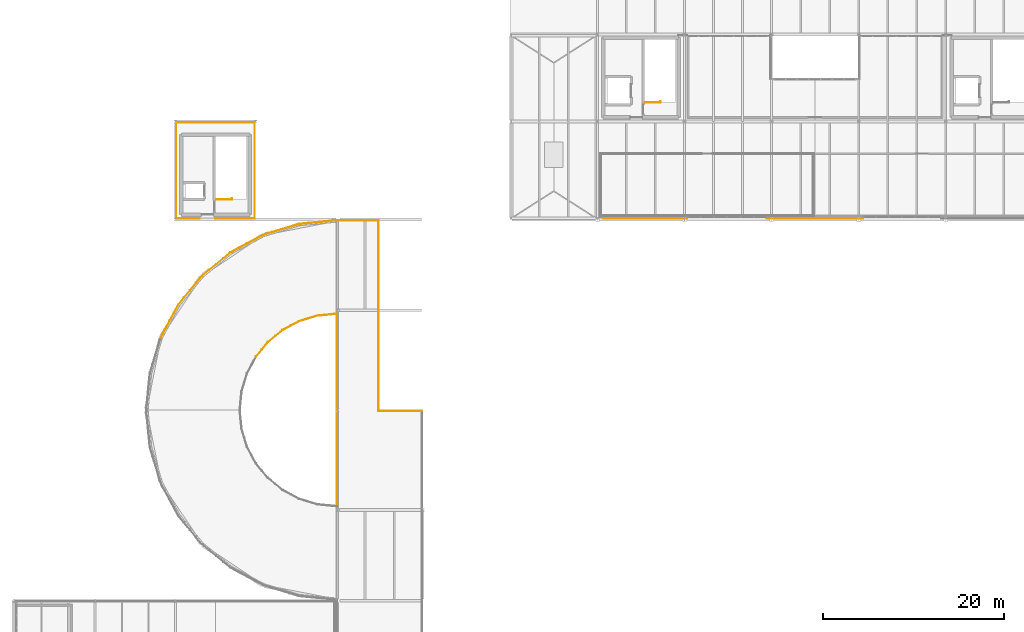
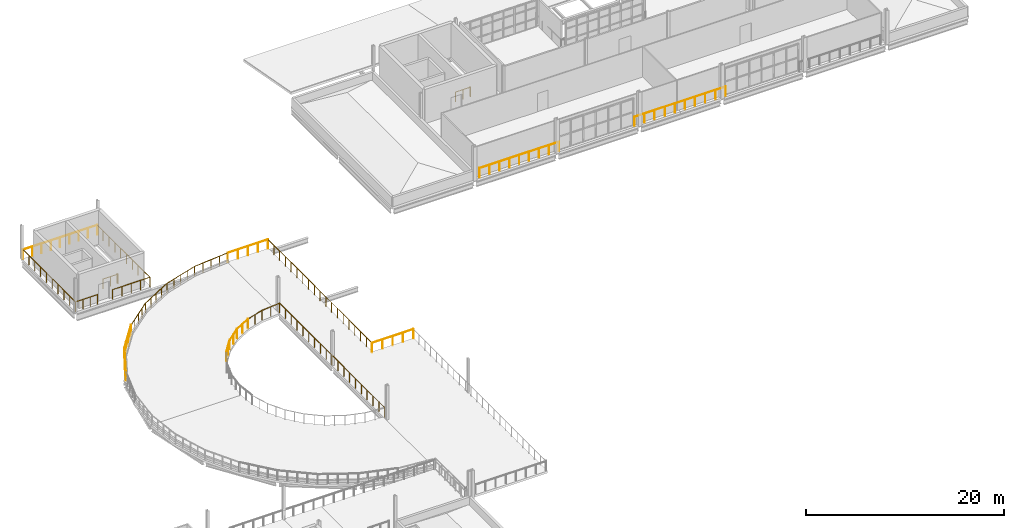
# One storey, part 53 of 58: 24 railings.
"""IFC4 building model written with IfcOpenShell, lengths in metres."""

from ifc_helpers import new_model, si_unit, direction, frame, origin, origin_2d, place, context, subcontext, project, spatial, circle, extrude, material, type_object, element, save


model = new_model("IFC4")

# Units and contexts
model_context = context("Model", 3, precision=1e-05, world=origin(), true_north=direction((0.0, 1.0)))
body_context = subcontext(model_context, "Body", "Model", "MODEL_VIEW")
ifc_project = project(units=[si_unit("LENGTHUNIT", "METRE"), si_unit("AREAUNIT", "SQUARE_METRE"), si_unit("VOLUMEUNIT", "CUBIC_METRE"), si_unit("PLANEANGLEUNIT", "RADIAN"), si_unit("MASSUNIT", "GRAM", prefix="KILO")], contexts=[model_context])

# Site, building, storey
site_placement = place(None, origin())
site = spatial("IfcSite", under=ifc_project, at=site_placement, CompositionType="ELEMENT")
building_placement = place(site_placement, origin())
building = spatial("IfcBuilding", under=site, at=building_placement, Name="Yeouljin Market Hall", CompositionType="ELEMENT")
storey_placement = place(building_placement, frame((0.0, 0.0, 10.800048828125)))
storey = spatial("IfcBuildingStorey", under=building, at=storey_placement, Name="L02", CompositionType="ELEMENT", Elevation=10.800048828125)

# Railings
ifc_material_1 = material(Name="Wrought Iron and Bronze Gallery Balustrade")
railing_type_1 = type_object("IfcRailingType", Name="Railing_AtriumBalustrade_1200", PredefinedType="BALUSTRADE", material=ifc_material_1)
railing_1_placement = place(storey_placement, frame((93.5, 78.10009765625, 0.0)))
element("IfcRailing", 1, at=railing_1_placement, inside=storey, type_object=railing_type_1, Name="Gallery & deck edge balustrade L02-218", PredefinedType="BALUSTRADE", context=body_context, shape_type="SweptSolid", body=[
    extrude(circle(Radius=0.02392578125, at=origin_2d()), frame((0.0, 0.0, 1.17578125), z_axis=(-1.0, 0.0, 0.0), x_axis=(0.0, -1.0, 0.0)), (0.0, 0.0, 1.0), 10.60009765625),
    extrude(circle(Radius=0.02099609375, at=origin_2d()), origin(), (0.0, 0.0, 1.0), 1.15185546875),
    extrude(circle(Radius=0.02099609375, at=origin_2d()), frame((-1.177734375, 0.0, 0.0)), (0.0, 0.0, 1.0), 1.15185546875),
    extrude(circle(Radius=0.02099609375, at=origin_2d()), frame((-2.35546875, 0.0, 0.0)), (0.0, 0.0, 1.0), 1.15185546875),
    extrude(circle(Radius=0.02099609375, at=origin_2d()), frame((-3.533447265625, 0.0, 0.0)), (0.0, 0.0, 1.0), 1.15185546875),
    extrude(circle(Radius=0.02099609375, at=origin_2d()), frame((-4.711181640625, 0.0, 0.0)), (0.0, 0.0, 1.0), 1.15185546875),
    extrude(circle(Radius=0.02099609375, at=origin_2d()), frame((-5.888916015625, 0.0, 0.0)), (0.0, 0.0, 1.0), 1.15185546875),
    extrude(circle(Radius=0.02099609375, at=origin_2d()), frame((-7.066650390625, 0.0, 0.0)), (0.0, 0.0, 1.0), 1.15185546875),
    extrude(circle(Radius=0.02099609375, at=origin_2d()), frame((-8.24462890625, 0.0, 0.0)), (0.0, 0.0, 1.0), 1.15185546875),
    extrude(circle(Radius=0.02099609375, at=origin_2d()), frame((-9.42236328125, 0.0, 0.0)), (0.0, 0.0, 1.0), 1.15185546875),
    extrude(circle(Radius=0.02099609375, at=origin_2d()), frame((-10.60009765625, 0.0, 0.0)), (0.0, 0.0, 1.0), 1.15185546875),
])
railing_2_placement = place(storey_placement, frame((74.10009765625, 78.10009765625, 0.0)))
element("IfcRailing", 2, at=railing_2_placement, inside=storey, type_object=railing_type_1, Name="Gallery & deck edge balustrade L02-219", PredefinedType="BALUSTRADE", context=body_context, shape_type="SweptSolid", body=[
    extrude(circle(Radius=0.02392578125, at=origin_2d()), frame((0.0, 0.0, 1.17578125), z_axis=(-1.0, 0.0, 0.0), x_axis=(0.0, -1.0, 0.0)), (0.0, 0.0, 1.0), 9.25),
    extrude(circle(Radius=0.02099609375, at=origin_2d()), origin(), (0.0, 0.0, 1.0), 1.15185546875),
    extrude(circle(Radius=0.02099609375, at=origin_2d()), frame((-1.15625, 0.0, 0.0)), (0.0, 0.0, 1.0), 1.15185546875),
    extrude(circle(Radius=0.02099609375, at=origin_2d()), frame((-2.3125, 0.0, 0.0)), (0.0, 0.0, 1.0), 1.15185546875),
    extrude(circle(Radius=0.02099609375, at=origin_2d()), frame((-3.46875, 0.0, 0.0)), (0.0, 0.0, 1.0), 1.15185546875),
    extrude(circle(Radius=0.02099609375, at=origin_2d()), frame((-4.625, 0.0, 0.0)), (0.0, 0.0, 1.0), 1.15185546875),
    extrude(circle(Radius=0.02099609375, at=origin_2d()), frame((-5.78125, 0.0, 0.0)), (0.0, 0.0, 1.0), 1.15185546875),
    extrude(circle(Radius=0.02099609375, at=origin_2d()), frame((-6.9375, 0.0, 0.0)), (0.0, 0.0, 1.0), 1.15185546875),
    extrude(circle(Radius=0.02099609375, at=origin_2d()), frame((-8.09375, 0.0, 0.0)), (0.0, 0.0, 1.0), 1.15185546875),
    extrude(circle(Radius=0.02099609375, at=origin_2d()), frame((-9.25, 0.0, 0.0)), (0.0, 0.0, 1.0), 1.15185546875),
])
railing_3_placement = place(storey_placement, frame((16.09130859375, 64.997802734375, 0.0)))
element("IfcRailing", 3, at=railing_3_placement, inside=storey, type_object=railing_type_1, Name="Gallery & deck edge balustrade L02-226", PredefinedType="BALUSTRADE", context=body_context, shape_type="SweptSolid", body=[
    extrude(circle(Radius=0.02392578125, at=origin_2d()), frame((0.0, 0.0, 1.17578125), z_axis=(0.471407637126, 0.88191543793, 0.0), x_axis=(-0.88191543793, 0.471407637126, 0.0)), (0.0, 0.0, 1.0), 4.09716796875),
    extrude(circle(Radius=0.02099609375, at=origin_2d()), origin(), (0.0, 0.0, 1.0), 1.15185546875),
    extrude(circle(Radius=0.02099609375, at=origin_2d()), frame((0.48291015625, 0.9033203125, 0.0)), (0.0, 0.0, 1.0), 1.15185546875),
    extrude(circle(Radius=0.02099609375, at=origin_2d()), frame((0.9658203125, 1.806640625, 0.0)), (0.0, 0.0, 1.0), 1.15185546875),
    extrude(circle(Radius=0.02099609375, at=origin_2d()), frame((1.448486328125, 2.7099609375, 0.0)), (0.0, 0.0, 1.0), 1.15185546875),
    extrude(circle(Radius=0.02099609375, at=origin_2d()), frame((1.931396484375, 3.61328125, 0.0)), (0.0, 0.0, 1.0), 1.15185546875),
])
railing_4_placement = place(storey_placement, frame((18.022705078125, 68.611083984375, 0.0)))
element("IfcRailing", 4, at=railing_4_placement, inside=storey, type_object=railing_type_1, Name="Gallery & deck edge balustrade L02-227", PredefinedType="BALUSTRADE", context=body_context, shape_type="SweptSolid", body=[
    extrude(circle(Radius=0.02392578125, at=origin_2d()), frame((0.0, 0.0, 1.17578125), z_axis=(0.634398793596, 0.773005931855, 0.0), x_axis=(-0.773005931855, 0.634398793596, 0.0)), (0.0, 0.0, 1.0), 4.096923828125),
    extrude(circle(Radius=0.02099609375, at=origin_2d()), origin(), (0.0, 0.0, 1.0), 1.15185546875),
    extrude(circle(Radius=0.02099609375, at=origin_2d()), frame((0.64990234375, 0.791748046875, 0.0)), (0.0, 0.0, 1.0), 1.15185546875),
    extrude(circle(Radius=0.02099609375, at=origin_2d()), frame((1.299560546875, 1.58349609375, 0.0)), (0.0, 0.0, 1.0), 1.15185546875),
    extrude(circle(Radius=0.02099609375, at=origin_2d()), frame((1.94921875, 2.375244140625, 0.0)), (0.0, 0.0, 1.0), 1.15185546875),
    extrude(circle(Radius=0.02099609375, at=origin_2d()), frame((2.59912109375, 3.1669921875, 0.0)), (0.0, 0.0, 1.0), 1.15185546875),
])
railing_5_placement = place(storey_placement, frame((20.621826171875, 71.778076171875, 0.0)))
element("IfcRailing", 5, at=railing_5_placement, inside=storey, type_object=railing_type_1, Name="Gallery & deck edge balustrade L02-228", PredefinedType="BALUSTRADE", context=body_context, shape_type="SweptSolid", body=[
    extrude(circle(Radius=0.02392578125, at=origin_2d()), frame((0.0, 0.0, 1.17578125), z_axis=(0.772976709391, 0.634434399082, 0.0), x_axis=(-0.634434399082, 0.772976709391, 0.0)), (0.0, 0.0, 1.0), 4.09716796875),
    extrude(circle(Radius=0.02099609375, at=origin_2d()), origin(), (0.0, 0.0, 1.0), 1.15185546875),
    extrude(circle(Radius=0.02099609375, at=origin_2d()), frame((0.791748046875, 0.64990234375, 0.0)), (0.0, 0.0, 1.0), 1.15185546875),
    extrude(circle(Radius=0.02099609375, at=origin_2d()), frame((1.58349609375, 1.2998046875, 0.0)), (0.0, 0.0, 1.0), 1.15185546875),
    extrude(circle(Radius=0.02099609375, at=origin_2d()), frame((2.375244140625, 1.949462890625, 0.0)), (0.0, 0.0, 1.0), 1.15185546875),
    extrude(circle(Radius=0.02099609375, at=origin_2d()), frame((3.1669921875, 2.599365234375, 0.0)), (0.0, 0.0, 1.0), 1.15185546875),
])
railing_6_placement = place(storey_placement, frame((23.788818359375, 74.37744140625, 0.0)))
element("IfcRailing", 6, at=railing_6_placement, inside=storey, type_object=railing_type_1, Name="Gallery & deck edge balustrade L02-229", PredefinedType="BALUSTRADE", context=body_context, shape_type="SweptSolid", body=[
    extrude(circle(Radius=0.02392578125, at=origin_2d()), frame((0.0, 0.0, 1.17578125), z_axis=(0.881940210989, 0.471361288441, 0.0), x_axis=(-0.471361288441, 0.881940210989, 0.0)), (0.0, 0.0, 1.0), 4.096923828125),
    extrude(circle(Radius=0.02099609375, at=origin_2d()), origin(), (0.0, 0.0, 1.0), 1.15185546875),
    extrude(circle(Radius=0.02099609375, at=origin_2d()), frame((0.9033203125, 0.48291015625, 0.0)), (0.0, 0.0, 1.0), 1.15185546875),
    extrude(circle(Radius=0.02099609375, at=origin_2d()), frame((1.806640625, 0.965576171875, 0.0)), (0.0, 0.0, 1.0), 1.15185546875),
    extrude(circle(Radius=0.02099609375, at=origin_2d()), frame((2.7099609375, 1.4482421875, 0.0)), (0.0, 0.0, 1.0), 1.15185546875),
    extrude(circle(Radius=0.02099609375, at=origin_2d()), frame((3.61328125, 1.93115234375, 0.0)), (0.0, 0.0, 1.0), 1.15185546875),
])
railing_7_placement = place(storey_placement, frame((27.402099609375, 76.30859375, 0.0)))
element("IfcRailing", 7, at=railing_7_placement, inside=storey, type_object=railing_type_1, Name="Gallery & deck edge balustrade L02-230", PredefinedType="BALUSTRADE", context=body_context, shape_type="SweptSolid", body=[
    extrude(circle(Radius=0.02392578125, at=origin_2d()), frame((0.0, 0.0, 1.17578125), z_axis=(0.95694769148, 0.290260427498, 0.0), x_axis=(-0.290260427498, 0.95694769148, 0.0)), (0.0, 0.0, 1.0), 4.096923828125),
    extrude(circle(Radius=0.02099609375, at=origin_2d()), origin(), (0.0, 0.0, 1.0), 1.15185546875),
    extrude(circle(Radius=0.02099609375, at=origin_2d()), frame((0.980224609375, 0.29736328125, 0.0)), (0.0, 0.0, 1.0), 1.15185546875),
    extrude(circle(Radius=0.02099609375, at=origin_2d()), frame((1.96044921875, 0.5947265625, 0.0)), (0.0, 0.0, 1.0), 1.15185546875),
    extrude(circle(Radius=0.02099609375, at=origin_2d()), frame((2.9404296875, 0.891845703125, 0.0)), (0.0, 0.0, 1.0), 1.15185546875),
    extrude(circle(Radius=0.02099609375, at=origin_2d()), frame((3.920654296875, 1.189208984375, 0.0)), (0.0, 0.0, 1.0), 1.15185546875),
])
railing_8_placement = place(storey_placement, frame((31.32275390625, 77.497802734375, 0.0)))
element("IfcRailing", 8, at=railing_8_placement, inside=storey, type_object=railing_type_1, Name="Gallery & deck edge balustrade L02-231", PredefinedType="BALUSTRADE", context=body_context, shape_type="SweptSolid", body=[
    extrude(circle(Radius=0.02392578125, at=origin_2d()), frame((0.0, 0.0, 1.17578125), z_axis=(0.995183427588, 0.098030329261, 0.0), x_axis=(-0.098030329261, 0.995183427588, 0.0)), (0.0, 0.0, 1.0), 4.101806640625),
    extrude(circle(Radius=0.02099609375, at=origin_2d()), origin(), (0.0, 0.0, 1.0), 1.15185546875),
    extrude(circle(Radius=0.02099609375, at=origin_2d()), frame((1.0205078125, 0.1005859375, 0.0)), (0.0, 0.0, 1.0), 1.15185546875),
    extrude(circle(Radius=0.02099609375, at=origin_2d()), frame((2.041015625, 0.201171875, 0.0)), (0.0, 0.0, 1.0), 1.15185546875),
    extrude(circle(Radius=0.02099609375, at=origin_2d()), frame((3.0615234375, 0.301513671875, 0.0)), (0.0, 0.0, 1.0), 1.15185546875),
    extrude(circle(Radius=0.02099609375, at=origin_2d()), frame((4.08203125, 0.402099609375, 0.0)), (0.0, 0.0, 1.0), 1.15185546875),
])
railing_9_placement = place(storey_placement, frame((35.40478515625, 77.89990234375, 0.0)))
element("IfcRailing", 9, at=railing_9_placement, inside=storey, type_object=railing_type_1, Name="Gallery & deck edge balustrade L02-232", PredefinedType="BALUSTRADE", context=body_context, shape_type="SweptSolid", body=[
    extrude(circle(Radius=0.02392578125, at=origin_2d()), frame((0.0, 0.0, 1.17578125), z_axis=(1.0, 0.0, 0.0), x_axis=(0.0, 1.0, 0.0)), (0.0, 0.0, 1.0), 4.6953125),
    extrude(circle(Radius=0.02099609375, at=origin_2d()), origin(), (0.0, 0.0, 1.0), 1.15185546875),
    extrude(circle(Radius=0.02099609375, at=origin_2d()), frame((1.173828125, 0.0, 0.0)), (0.0, 0.0, 1.0), 1.15185546875),
    extrude(circle(Radius=0.02099609375, at=origin_2d()), frame((2.34765625, 0.0, 0.0)), (0.0, 0.0, 1.0), 1.15185546875),
    extrude(circle(Radius=0.02099609375, at=origin_2d()), frame((3.521484375, 0.0, 0.0)), (0.0, 0.0, 1.0), 1.15185546875),
    extrude(circle(Radius=0.02099609375, at=origin_2d()), frame((4.6953125, 0.0, 0.0)), (0.0, 0.0, 1.0), 1.15185546875),
])
railing_10_placement = place(storey_placement, frame((40.10009765625, 77.89990234375, 0.0)))
element("IfcRailing", 10, at=railing_10_placement, inside=storey, type_object=railing_type_1, Name="Gallery & deck edge balustrade L02-233", PredefinedType="BALUSTRADE", context=body_context, shape_type="SweptSolid", body=[
    extrude(circle(Radius=0.02392578125, at=origin_2d()), frame((0.0, 0.0, 1.17578125), z_axis=(0.0, -1.0, 0.0), x_axis=(1.0, 0.0, 0.0)), (0.0, 0.0, 1.0), 21.0),
    extrude(circle(Radius=0.02099609375, at=origin_2d()), origin(), (0.0, 0.0, 1.0), 1.15185546875),
    extrude(circle(Radius=0.02099609375, at=origin_2d()), frame((0.0, -1.166748046875, 0.0)), (0.0, 0.0, 1.0), 1.15185546875),
    extrude(circle(Radius=0.02099609375, at=origin_2d()), frame((0.0, -2.333251953125, 0.0)), (0.0, 0.0, 1.0), 1.15185546875),
    extrude(circle(Radius=0.02099609375, at=origin_2d()), frame((0.0, -3.5, 0.0)), (0.0, 0.0, 1.0), 1.15185546875),
    extrude(circle(Radius=0.02099609375, at=origin_2d()), frame((0.0, -4.666748046875, 0.0)), (0.0, 0.0, 1.0), 1.15185546875),
    extrude(circle(Radius=0.02099609375, at=origin_2d()), frame((0.0, -5.833251953125, 0.0)), (0.0, 0.0, 1.0), 1.15185546875),
    extrude(circle(Radius=0.02099609375, at=origin_2d()), frame((0.0, -7.0, 0.0)), (0.0, 0.0, 1.0), 1.15185546875),
    extrude(circle(Radius=0.02099609375, at=origin_2d()), frame((0.0, -8.166748046875, 0.0)), (0.0, 0.0, 1.0), 1.15185546875),
    extrude(circle(Radius=0.02099609375, at=origin_2d()), frame((0.0, -9.333251953125, 0.0)), (0.0, 0.0, 1.0), 1.15185546875),
    extrude(circle(Radius=0.02099609375, at=origin_2d()), frame((0.0, -10.5, 0.0)), (0.0, 0.0, 1.0), 1.15185546875),
    extrude(circle(Radius=0.02099609375, at=origin_2d()), frame((0.0, -11.666748046875, 0.0)), (0.0, 0.0, 1.0), 1.15185546875),
    extrude(circle(Radius=0.02099609375, at=origin_2d()), frame((0.0, -12.833251953125, 0.0)), (0.0, 0.0, 1.0), 1.15185546875),
    extrude(circle(Radius=0.02099609375, at=origin_2d()), frame((0.0, -14.0, 0.0)), (0.0, 0.0, 1.0), 1.15185546875),
    extrude(circle(Radius=0.02099609375, at=origin_2d()), frame((0.0, -15.166748046875, 0.0)), (0.0, 0.0, 1.0), 1.15185546875),
    extrude(circle(Radius=0.02099609375, at=origin_2d()), frame((0.0, -16.333251953125, 0.0)), (0.0, 0.0, 1.0), 1.15185546875),
    extrude(circle(Radius=0.02099609375, at=origin_2d()), frame((0.0, -17.5, 0.0)), (0.0, 0.0, 1.0), 1.15185546875),
    extrude(circle(Radius=0.02099609375, at=origin_2d()), frame((0.0, -18.666748046875, 0.0)), (0.0, 0.0, 1.0), 1.15185546875),
    extrude(circle(Radius=0.02099609375, at=origin_2d()), frame((0.0, -19.833251953125, 0.0)), (0.0, 0.0, 1.0), 1.15185546875),
    extrude(circle(Radius=0.02099609375, at=origin_2d()), frame((0.0, -21.0, 0.0)), (0.0, 0.0, 1.0), 1.15185546875),
])
railing_11_placement = place(storey_placement, frame((40.10009765625, 56.89990234375, 0.0)))
element("IfcRailing", 11, at=railing_11_placement, inside=storey, type_object=railing_type_1, Name="Gallery & deck edge balustrade L02-234", PredefinedType="BALUSTRADE", context=body_context, shape_type="SweptSolid", body=[
    extrude(circle(Radius=0.02392578125, at=origin_2d()), frame((0.0, 0.0, 1.17578125), z_axis=(1.0, 0.0, 0.0), x_axis=(0.0, 1.0, 0.0)), (0.0, 0.0, 1.0), 4.7998046875),
    extrude(circle(Radius=0.02099609375, at=origin_2d()), origin(), (0.0, 0.0, 1.0), 1.15185546875),
    extrude(circle(Radius=0.02099609375, at=origin_2d()), frame((1.199951171875, 0.0, 0.0)), (0.0, 0.0, 1.0), 1.15185546875),
    extrude(circle(Radius=0.02099609375, at=origin_2d()), frame((2.39990234375, 0.0, 0.0)), (0.0, 0.0, 1.0), 1.15185546875),
    extrude(circle(Radius=0.02099609375, at=origin_2d()), frame((3.599853515625, 0.0, 0.0)), (0.0, 0.0, 1.0), 1.15185546875),
    extrude(circle(Radius=0.02099609375, at=origin_2d()), frame((4.7998046875, 0.0, 0.0)), (0.0, 0.0, 1.0), 1.15185546875),
])
railing_12_placement = place(storey_placement, frame((35.5, 46.3896484375, 0.0)))
element("IfcRailing", 12, at=railing_12_placement, inside=storey, type_object=railing_type_1, Name="Gallery & deck edge balustrade L02-247", PredefinedType="BALUSTRADE", context=body_context, shape_type="SweptSolid", body=[
    extrude(circle(Radius=0.02392578125, at=origin_2d()), frame((0.0, 0.0, 1.17578125), z_axis=(0.0, 1.0, 0.0), x_axis=(-1.0, 0.0, 0.0)), (0.0, 0.0, 1.0), 21.220703125),
    extrude(circle(Radius=0.02099609375, at=origin_2d()), origin(), (0.0, 0.0, 1.0), 1.15185546875),
    extrude(circle(Radius=0.02099609375, at=origin_2d()), frame((0.0, 1.178955078125, 0.0)), (0.0, 0.0, 1.0), 1.15185546875),
    extrude(circle(Radius=0.02099609375, at=origin_2d()), frame((0.0, 2.35791015625, 0.0)), (0.0, 0.0, 1.0), 1.15185546875),
    extrude(circle(Radius=0.02099609375, at=origin_2d()), frame((0.0, 3.536865234375, 0.0)), (0.0, 0.0, 1.0), 1.15185546875),
    extrude(circle(Radius=0.02099609375, at=origin_2d()), frame((0.0, 4.7158203125, 0.0)), (0.0, 0.0, 1.0), 1.15185546875),
    extrude(circle(Radius=0.02099609375, at=origin_2d()), frame((0.0, 5.89453125, 0.0)), (0.0, 0.0, 1.0), 1.15185546875),
    extrude(circle(Radius=0.02099609375, at=origin_2d()), frame((0.0, 7.073486328125, 0.0)), (0.0, 0.0, 1.0), 1.15185546875),
    extrude(circle(Radius=0.02099609375, at=origin_2d()), frame((0.0, 8.25244140625, 0.0)), (0.0, 0.0, 1.0), 1.15185546875),
    extrude(circle(Radius=0.02099609375, at=origin_2d()), frame((0.0, 9.431396484375, 0.0)), (0.0, 0.0, 1.0), 1.15185546875),
    extrude(circle(Radius=0.02099609375, at=origin_2d()), frame((0.0, 10.6103515625, 0.0)), (0.0, 0.0, 1.0), 1.15185546875),
    extrude(circle(Radius=0.02099609375, at=origin_2d()), frame((0.0, 11.789306640625, 0.0)), (0.0, 0.0, 1.0), 1.15185546875),
    extrude(circle(Radius=0.02099609375, at=origin_2d()), frame((0.0, 12.96826171875, 0.0)), (0.0, 0.0, 1.0), 1.15185546875),
    extrude(circle(Radius=0.02099609375, at=origin_2d()), frame((0.0, 14.147216796875, 0.0)), (0.0, 0.0, 1.0), 1.15185546875),
    extrude(circle(Radius=0.02099609375, at=origin_2d()), frame((0.0, 15.326171875, 0.0)), (0.0, 0.0, 1.0), 1.15185546875),
    extrude(circle(Radius=0.02099609375, at=origin_2d()), frame((0.0, 16.5048828125, 0.0)), (0.0, 0.0, 1.0), 1.15185546875),
    extrude(circle(Radius=0.02099609375, at=origin_2d()), frame((0.0, 17.683837890625, 0.0)), (0.0, 0.0, 1.0), 1.15185546875),
    extrude(circle(Radius=0.02099609375, at=origin_2d()), frame((0.0, 18.86279296875, 0.0)), (0.0, 0.0, 1.0), 1.15185546875),
    extrude(circle(Radius=0.02099609375, at=origin_2d()), frame((0.0, 20.041748046875, 0.0)), (0.0, 0.0, 1.0), 1.15185546875),
    extrude(circle(Radius=0.02099609375, at=origin_2d()), frame((0.0, 21.220703125, 0.0)), (0.0, 0.0, 1.0), 1.15185546875),
])
railing_13_placement = place(storey_placement, frame((35.5, 67.6103515625, 0.0)))
element("IfcRailing", 13, at=railing_13_placement, inside=storey, type_object=railing_type_1, Name="Gallery & deck edge balustrade L02-248", PredefinedType="BALUSTRADE", context=body_context, shape_type="SweptSolid", body=[
    extrude(circle(Radius=0.02392578125, at=origin_2d()), frame((0.0, 0.0, 1.17578125), z_axis=(-0.995180392981, -0.098061131065, 0.0), x_axis=(0.098061131065, -0.995180392981, 0.0)), (0.0, 0.0, 1.0), 2.178466796875),
    extrude(circle(Radius=0.02099609375, at=origin_2d()), origin(), (0.0, 0.0, 1.0), 1.15185546875),
    extrude(circle(Radius=0.02099609375, at=origin_2d()), frame((-1.083984375, -0.10693359375, 0.0)), (0.0, 0.0, 1.0), 1.15185546875),
    extrude(circle(Radius=0.02099609375, at=origin_2d()), frame((-2.16796875, -0.213623046875, 0.0)), (0.0, 0.0, 1.0), 1.15185546875),
])
railing_14_placement = place(storey_placement, frame((33.33203125, 67.396728515625, 0.0)))
element("IfcRailing", 14, at=railing_14_placement, inside=storey, type_object=railing_type_1, Name="Gallery & deck edge balustrade L02-249", PredefinedType="BALUSTRADE", context=body_context, shape_type="SweptSolid", body=[
    extrude(circle(Radius=0.02392578125, at=origin_2d()), frame((0.0, 0.0, 1.17578125), z_axis=(-0.956942361687, -0.290277998493, 0.0), x_axis=(0.290277998493, -0.956942361687, 0.0)), (0.0, 0.0, 1.0), 2.078369140625),
    extrude(circle(Radius=0.02099609375, at=origin_2d()), origin(), (0.0, 0.0, 1.0), 1.15185546875),
    extrude(circle(Radius=0.02099609375, at=origin_2d()), frame((-0.994384765625, -0.3017578125, 0.0)), (0.0, 0.0, 1.0), 1.15185546875),
    extrude(circle(Radius=0.02099609375, at=origin_2d()), frame((-1.98876953125, -0.603271484375, 0.0)), (0.0, 0.0, 1.0), 1.15185546875),
])
railing_15_placement = place(storey_placement, frame((31.34326171875, 66.79345703125, 0.0)))
element("IfcRailing", 15, at=railing_15_placement, inside=storey, type_object=railing_type_1, Name="Gallery & deck edge balustrade L02-250", PredefinedType="BALUSTRADE", context=body_context, shape_type="SweptSolid", body=[
    extrude(circle(Radius=0.02392578125, at=origin_2d()), frame((0.0, 0.0, 1.17578125), z_axis=(-0.88192324687, -0.47139302777, 0.0), x_axis=(0.47139302777, -0.88192324687, 0.0)), (0.0, 0.0, 1.0), 2.077880859375),
    extrude(circle(Radius=0.02099609375, at=origin_2d()), origin(), (0.0, 0.0, 1.0), 1.15185546875),
    extrude(circle(Radius=0.02099609375, at=origin_2d()), frame((-0.916259765625, -0.48974609375, 0.0)), (0.0, 0.0, 1.0), 1.15185546875),
    extrude(circle(Radius=0.02099609375, at=origin_2d()), frame((-1.83251953125, -0.9794921875, 0.0)), (0.0, 0.0, 1.0), 1.15185546875),
])
railing_16_placement = place(storey_placement, frame((29.5107421875, 65.81396484375, 0.0)))
element("IfcRailing", 16, at=railing_16_placement, inside=storey, type_object=railing_type_1, Name="Gallery & deck edge balustrade L02-251", PredefinedType="BALUSTRADE", context=body_context, shape_type="SweptSolid", body=[
    extrude(circle(Radius=0.02392578125, at=origin_2d()), frame((0.0, 0.0, 1.17578125), z_axis=(-0.773014281235, -0.634388619859, 0.0), x_axis=(0.634388619859, -0.773014281235, 0.0)), (0.0, 0.0, 1.0), 2.078125),
    extrude(circle(Radius=0.02099609375, at=origin_2d()), origin(), (0.0, 0.0, 1.0), 1.15185546875),
    extrude(circle(Radius=0.02099609375, at=origin_2d()), frame((-0.80322265625, -0.6591796875, 0.0)), (0.0, 0.0, 1.0), 1.15185546875),
    extrude(circle(Radius=0.02099609375, at=origin_2d()), frame((-1.6064453125, -1.318359375, 0.0)), (0.0, 0.0, 1.0), 1.15185546875),
])
railing_17_placement = place(storey_placement, frame((27.904296875, 64.49560546875, 0.0)))
element("IfcRailing", 17, at=railing_17_placement, inside=storey, type_object=railing_type_1, Name="Gallery & deck edge balustrade L02-252", PredefinedType="BALUSTRADE", context=body_context, shape_type="SweptSolid", body=[
    extrude(circle(Radius=0.02392578125, at=origin_2d()), frame((0.0, 0.0, 1.17578125), z_axis=(-0.634376028648, -0.773024614276, 0.0), x_axis=(0.773024614276, -0.634376028648, 0.0)), (0.0, 0.0, 1.0), 2.077880859375),
    extrude(circle(Radius=0.02099609375, at=origin_2d()), origin(), (0.0, 0.0, 1.0), 1.15185546875),
    extrude(circle(Radius=0.02099609375, at=origin_2d()), frame((-0.6591796875, -0.80322265625, 0.0)), (0.0, 0.0, 1.0), 1.15185546875),
    extrude(circle(Radius=0.02099609375, at=origin_2d()), frame((-1.318115234375, -1.606201171875, 0.0)), (0.0, 0.0, 1.0), 1.15185546875),
])
railing_18_placement = place(storey_placement, frame((17.800048828125, 88.699951171875, 0.0)))
element("IfcRailing", 18, at=railing_18_placement, inside=storey, type_object=railing_type_1, Name="Gallery & deck edge balustrade L02-269", PredefinedType="BALUSTRADE", context=body_context, shape_type="SweptSolid", body=[
    extrude(circle(Radius=0.02392578125, at=origin_2d()), frame((0.0, 0.0, 1.17578125), z_axis=(1.0, 0.0, 0.0), x_axis=(0.0, 1.0, 0.0)), (0.0, 0.0, 1.0), 8.64990234375),
    extrude(circle(Radius=0.02099609375, at=origin_2d()), origin(), (0.0, 0.0, 1.0), 1.15185546875),
    extrude(circle(Radius=0.02099609375, at=origin_2d()), frame((1.081298828125, 0.0, 0.0)), (0.0, 0.0, 1.0), 1.15185546875),
    extrude(circle(Radius=0.02099609375, at=origin_2d()), frame((2.16259765625, 0.0, 0.0)), (0.0, 0.0, 1.0), 1.15185546875),
    extrude(circle(Radius=0.02099609375, at=origin_2d()), frame((3.24365234375, 0.0, 0.0)), (0.0, 0.0, 1.0), 1.15185546875),
    extrude(circle(Radius=0.02099609375, at=origin_2d()), frame((4.324951171875, 0.0, 0.0)), (0.0, 0.0, 1.0), 1.15185546875),
    extrude(circle(Radius=0.02099609375, at=origin_2d()), frame((5.40625, 0.0, 0.0)), (0.0, 0.0, 1.0), 1.15185546875),
    extrude(circle(Radius=0.02099609375, at=origin_2d()), frame((6.4873046875, 0.0, 0.0)), (0.0, 0.0, 1.0), 1.15185546875),
    extrude(circle(Radius=0.02099609375, at=origin_2d()), frame((7.568603515625, 0.0, 0.0)), (0.0, 0.0, 1.0), 1.15185546875),
    extrude(circle(Radius=0.02099609375, at=origin_2d()), frame((8.64990234375, 0.0, 0.0)), (0.0, 0.0, 1.0), 1.15185546875),
])
railing_19_placement = place(storey_placement, frame((26.449951171875, 88.699951171875, 0.0)))
element("IfcRailing", 19, at=railing_19_placement, inside=storey, type_object=railing_type_1, Name="Gallery & deck edge balustrade L02-270", PredefinedType="BALUSTRADE", context=body_context, shape_type="SweptSolid", body=[
    extrude(circle(Radius=0.02392578125, at=origin_2d()), frame((0.0, 0.0, 1.17578125), z_axis=(0.0, -1.0, 0.0), x_axis=(1.0, 0.0, 0.0)), (0.0, 0.0, 1.0), 10.599853515625),
    extrude(circle(Radius=0.02099609375, at=origin_2d()), origin(), (0.0, 0.0, 1.0), 1.15185546875),
    extrude(circle(Radius=0.02099609375, at=origin_2d()), frame((0.0, -1.177734375, 0.0)), (0.0, 0.0, 1.0), 1.15185546875),
    extrude(circle(Radius=0.02099609375, at=origin_2d()), frame((0.0, -2.35546875, 0.0)), (0.0, 0.0, 1.0), 1.15185546875),
    extrude(circle(Radius=0.02099609375, at=origin_2d()), frame((0.0, -3.533203125, 0.0)), (0.0, 0.0, 1.0), 1.15185546875),
    extrude(circle(Radius=0.02099609375, at=origin_2d()), frame((0.0, -4.7109375, 0.0)), (0.0, 0.0, 1.0), 1.15185546875),
    extrude(circle(Radius=0.02099609375, at=origin_2d()), frame((0.0, -5.888916015625, 0.0)), (0.0, 0.0, 1.0), 1.15185546875),
    extrude(circle(Radius=0.02099609375, at=origin_2d()), frame((0.0, -7.066650390625, 0.0)), (0.0, 0.0, 1.0), 1.15185546875),
    extrude(circle(Radius=0.02099609375, at=origin_2d()), frame((0.0, -8.244384765625, 0.0)), (0.0, 0.0, 1.0), 1.15185546875),
    extrude(circle(Radius=0.02099609375, at=origin_2d()), frame((0.0, -9.422119140625, 0.0)), (0.0, 0.0, 1.0), 1.15185546875),
    extrude(circle(Radius=0.02099609375, at=origin_2d()), frame((0.0, -10.599853515625, 0.0)), (0.0, 0.0, 1.0), 1.15185546875),
])
railing_20_placement = place(storey_placement, frame((26.449951171875, 78.10009765625, 0.0)))
element("IfcRailing", 20, at=railing_20_placement, inside=storey, type_object=railing_type_1, Name="Gallery & deck edge balustrade L02-271", PredefinedType="BALUSTRADE", context=body_context, shape_type="SweptSolid", body=[
    extrude(circle(Radius=0.02392578125, at=origin_2d()), frame((0.0, 0.0, 1.17578125), z_axis=(-1.0, 0.0, 0.0), x_axis=(0.0, -1.0, 0.0)), (0.0, 0.0, 1.0), 4.328857421875),
    extrude(circle(Radius=0.02099609375, at=origin_2d()), origin(), (0.0, 0.0, 1.0), 1.15185546875),
    extrude(circle(Radius=0.02099609375, at=origin_2d()), frame((-1.082275390625, 0.0, 0.0)), (0.0, 0.0, 1.0), 1.15185546875),
    extrude(circle(Radius=0.02099609375, at=origin_2d()), frame((-2.16455078125, 0.0, 0.0)), (0.0, 0.0, 1.0), 1.15185546875),
    extrude(circle(Radius=0.02099609375, at=origin_2d()), frame((-3.24658203125, 0.0, 0.0)), (0.0, 0.0, 1.0), 1.15185546875),
    extrude(circle(Radius=0.02099609375, at=origin_2d()), frame((-4.328857421875, 0.0, 0.0)), (0.0, 0.0, 1.0), 1.15185546875),
])
railing_21_placement = place(storey_placement, frame((20.35888671875, 78.10009765625, 0.0)))
element("IfcRailing", 21, at=railing_21_placement, inside=storey, type_object=railing_type_1, Name="Gallery & deck edge balustrade L02-272", PredefinedType="BALUSTRADE", context=body_context, shape_type="SweptSolid", body=[
    extrude(circle(Radius=0.02392578125, at=origin_2d()), frame((0.0, 0.0, 1.17578125), z_axis=(-1.0, 0.0, 0.0), x_axis=(0.0, -1.0, 0.0)), (0.0, 0.0, 1.0), 2.558837890625),
    extrude(circle(Radius=0.02099609375, at=origin_2d()), origin(), (0.0, 0.0, 1.0), 1.15185546875),
    extrude(circle(Radius=0.02099609375, at=origin_2d()), frame((-0.85302734375, 0.0, 0.0)), (0.0, 0.0, 1.0), 1.15185546875),
    extrude(circle(Radius=0.02099609375, at=origin_2d()), frame((-1.705810546875, 0.0, 0.0)), (0.0, 0.0, 1.0), 1.15185546875),
    extrude(circle(Radius=0.02099609375, at=origin_2d()), frame((-2.558837890625, 0.0, 0.0)), (0.0, 0.0, 1.0), 1.15185546875),
])
railing_22_placement = place(storey_placement, frame((17.800048828125, 78.10009765625, 0.0)))
element("IfcRailing", 22, at=railing_22_placement, inside=storey, type_object=railing_type_1, Name="Gallery & deck edge balustrade L02-273", PredefinedType="BALUSTRADE", context=body_context, shape_type="SweptSolid", body=[
    extrude(circle(Radius=0.02392578125, at=origin_2d()), frame((0.0, 0.0, 1.17578125), z_axis=(0.0, 1.0, 0.0), x_axis=(-1.0, 0.0, 0.0)), (0.0, 0.0, 1.0), 10.599853515625),
    extrude(circle(Radius=0.02099609375, at=origin_2d()), origin(), (0.0, 0.0, 1.0), 1.15185546875),
    extrude(circle(Radius=0.02099609375, at=origin_2d()), frame((0.0, 1.177734375, 0.0)), (0.0, 0.0, 1.0), 1.15185546875),
    extrude(circle(Radius=0.02099609375, at=origin_2d()), frame((0.0, 2.35546875, 0.0)), (0.0, 0.0, 1.0), 1.15185546875),
    extrude(circle(Radius=0.02099609375, at=origin_2d()), frame((0.0, 3.533203125, 0.0)), (0.0, 0.0, 1.0), 1.15185546875),
    extrude(circle(Radius=0.02099609375, at=origin_2d()), frame((0.0, 4.7109375, 0.0)), (0.0, 0.0, 1.0), 1.15185546875),
    extrude(circle(Radius=0.02099609375, at=origin_2d()), frame((0.0, 5.888916015625, 0.0)), (0.0, 0.0, 1.0), 1.15185546875),
    extrude(circle(Radius=0.02099609375, at=origin_2d()), frame((0.0, 7.066650390625, 0.0)), (0.0, 0.0, 1.0), 1.15185546875),
    extrude(circle(Radius=0.02099609375, at=origin_2d()), frame((0.0, 8.244384765625, 0.0)), (0.0, 0.0, 1.0), 1.15185546875),
    extrude(circle(Radius=0.02099609375, at=origin_2d()), frame((0.0, 9.422119140625, 0.0)), (0.0, 0.0, 1.0), 1.15185546875),
    extrude(circle(Radius=0.02099609375, at=origin_2d()), frame((0.0, 10.599853515625, 0.0)), (0.0, 0.0, 1.0), 1.15185546875),
])
ifc_material_2 = material(Name="Painted Steel Stair Guardrail", Category="steel")
railing_type_2 = type_object("IfcRailingType", Name="Railing_StairGuard_1200", PredefinedType="GUARDRAIL", material=ifc_material_2)
for number, where, name in (
    (23, (22.199951171875, 80.18994140625, 0.0), "Stair ST-C2-L01 top-floor well guardrail"),
    (24, (69.449951171875, 90.889892578125, 0.0), "Stair ST-C5-L01 top-floor well guardrail"),
):
    element("IfcRailing", number, at=place(storey_placement, frame(where)), inside=storey, type_object=railing_type_2, Name=name, PredefinedType="GUARDRAIL", context=body_context, shape_type="SweptSolid", body=[
        extrude(circle(Radius=0.02392578125, at=origin_2d()), frame((0.0, 0.0, 1.17578125), z_axis=(1.0, 0.0, 0.0), x_axis=(0.0, 1.0, 0.0)), (0.0, 0.0, 1.0), 1.72998046875),
        extrude(circle(Radius=0.02392578125, at=origin_2d()), frame((1.72998046875, 0.0, 1.17578125), z_axis=(0.0, 1.0, 0.0), x_axis=(-1.0, 0.0, 0.0)), (0.0, 0.0, 1.0), 0.14013671875),
        extrude(circle(Radius=0.02099609375, at=origin_2d()), origin(), (0.0, 0.0, 1.0), 1.15185546875),
        extrude(circle(Radius=0.02099609375, at=origin_2d()), frame((0.864990234375, 0.0, 0.0)), (0.0, 0.0, 1.0), 1.15185546875),
        extrude(circle(Radius=0.02099609375, at=origin_2d()), frame((1.72998046875, 0.0, 0.0)), (0.0, 0.0, 1.0), 1.15185546875),
        extrude(circle(Radius=0.02099609375, at=origin_2d()), frame((1.72998046875, 0.14013671875, 0.0)), (0.0, 0.0, 1.0), 1.15185546875),
    ])

save(model, "model.ifc")
